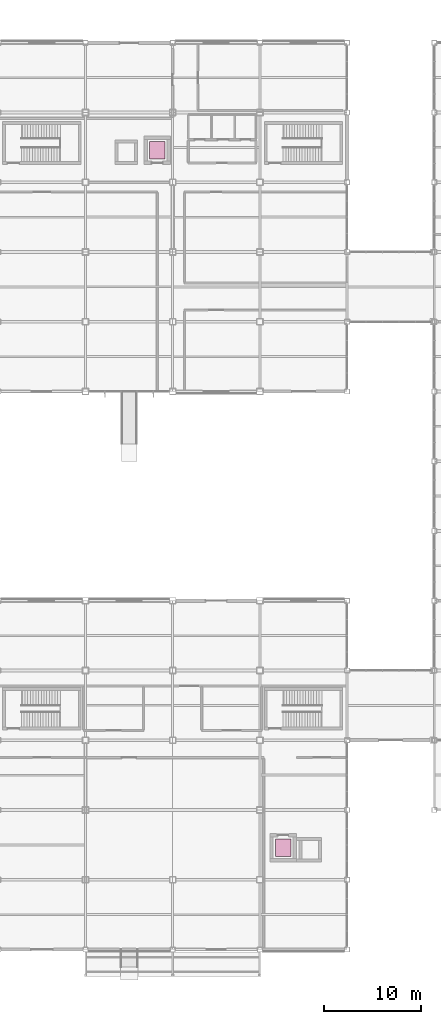
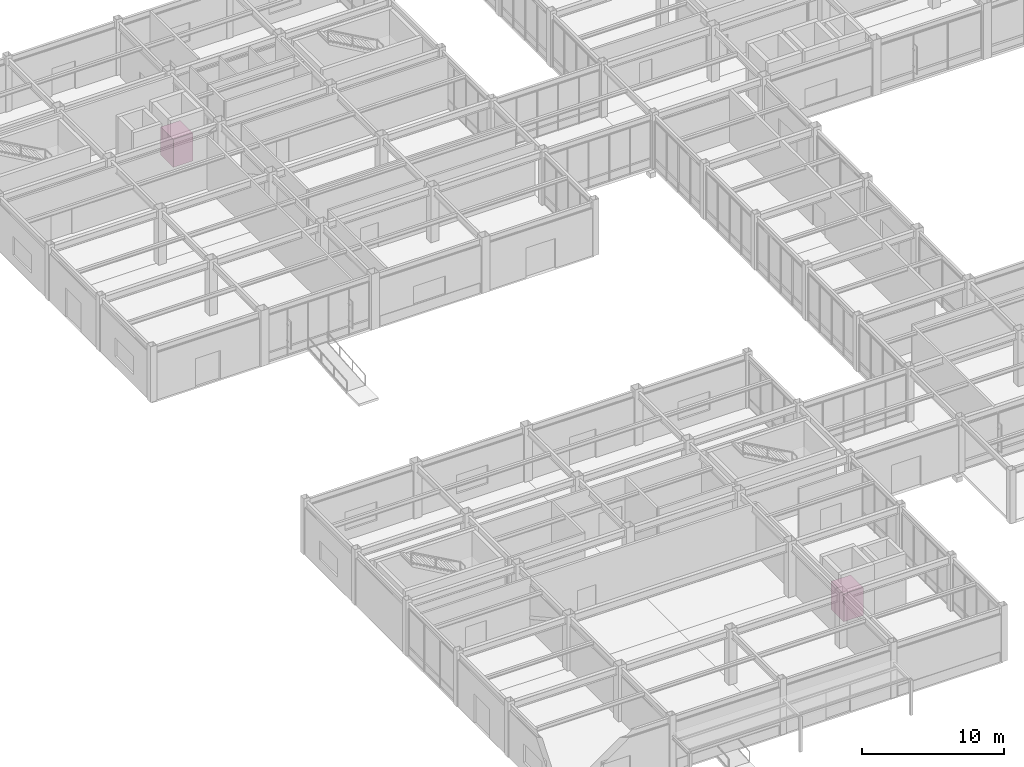
# One storey, part 112 of 112: 2 transport elements.
"""IFC4 building model written with IfcOpenShell, lengths in metres."""

from ifc_helpers import new_model, si_unit, direction, frame, origin, origin_2d, place, context, subcontext, project, spatial, rectangle, extrude, material, type_object, element, save


model = new_model("IFC4")

# Units and contexts
model_context = context("Model", 3, precision=1e-05, world=origin(), true_north=direction((0.0, 1.0)))
body_context = subcontext(model_context, "Body", "Model", "MODEL_VIEW")
ifc_project = project(units=[si_unit("LENGTHUNIT", "METRE"), si_unit("AREAUNIT", "SQUARE_METRE"), si_unit("VOLUMEUNIT", "CUBIC_METRE"), si_unit("PLANEANGLEUNIT", "RADIAN"), si_unit("MASSUNIT", "GRAM", prefix="KILO")], contexts=[model_context])

# Site, building, storey
site_placement = place(None, origin())
site = spatial("IfcSite", under=ifc_project, at=site_placement, CompositionType="ELEMENT")
building_placement = place(site_placement, origin())
building = spatial("IfcBuilding", under=site, at=building_placement, Name="Kazanami Central Library", CompositionType="ELEMENT")
storey_placement = place(building_placement, origin())
storey = spatial("IfcBuildingStorey", under=building, at=storey_placement, Name="L01", CompositionType="ELEMENT", Elevation=0.0)

# Transport elements
ifc_material = material(Name="Stainless Steel SUS304", Category="steel")
transport_element_type = type_object("IfcTransportElementType", Name="LFT-PP", PredefinedType="ELEVATOR", material=ifc_material)
for number, where, z_axis, x_axis, name in (
    (1, (16.39990234375, 82.5, 0.0), (0.0, 0.0, 1.0), (1.0, 0.0, 0.0), "Elevator EL-P4"),
    (2, (29.39990234375, 10.5, 0.0), (0.0, 0.0, 1.0), (1.0, 0.0, 0.0), "Elevator EL-P5"),
):
    element("IfcTransportElement", number, at=place(storey_placement, frame(where, z_axis=z_axis, x_axis=x_axis)), inside=storey, type_object=transport_element_type, Name=name, PredefinedType="ELEVATOR", context=body_context, shape_type="SweptSolid", body=[
        extrude(rectangle(XDim=1.60009765625, YDim=1.800048828125, at=origin_2d()), origin(), (0.0, 0.0, 1.0), 2.39990234375),
    ])

save(model, "model.ifc")
